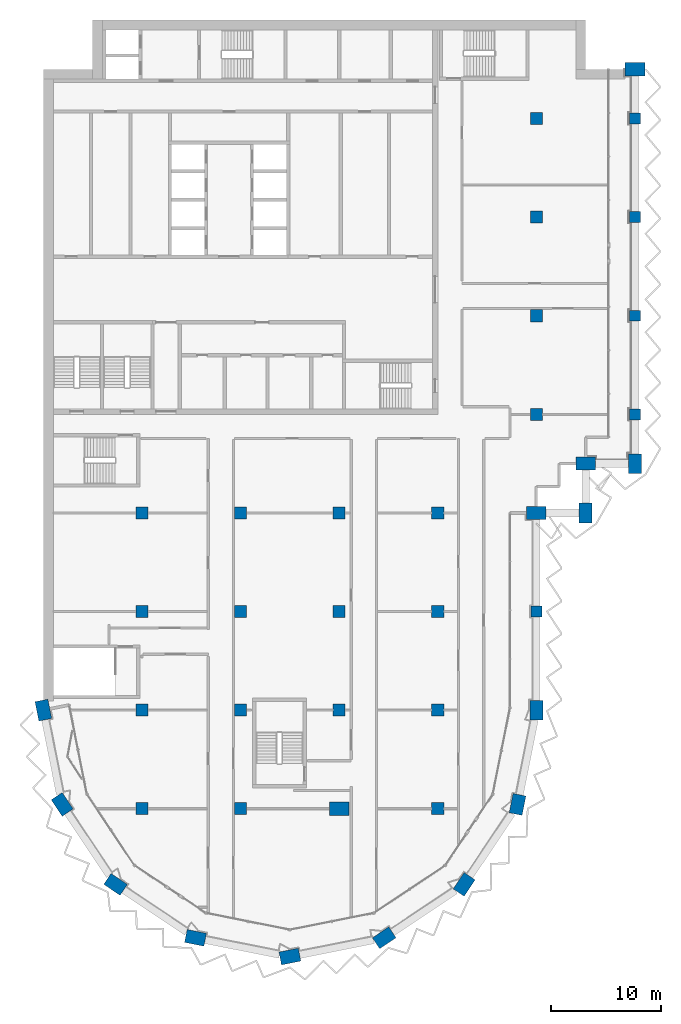
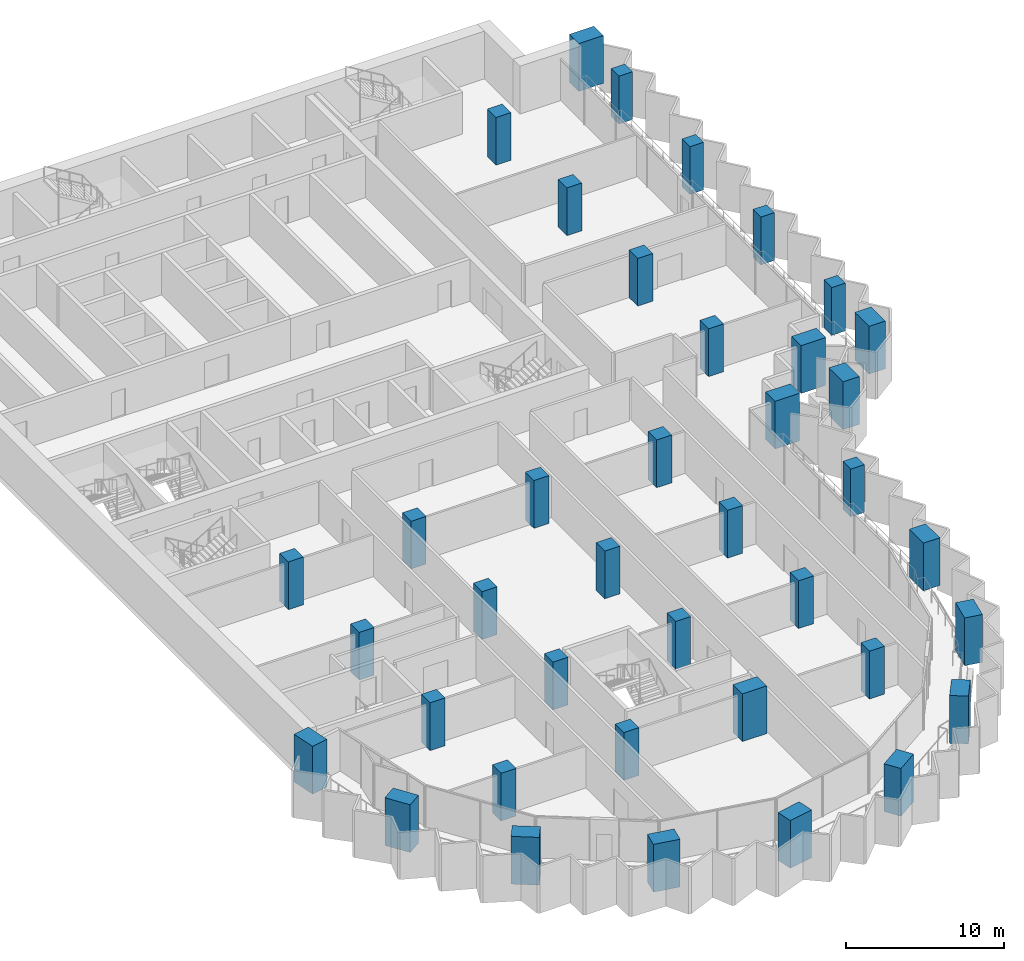
# One storey, part 1 of 18: 39 columns.
"""IFC4 building model written with IfcOpenShell, lengths in metres."""

import ifcopenshell
import ifcopenshell.guid

model = None  # the IFC model being written
_history = None  # IfcOwnerHistory: only IFC2X3 demands one
_inside = {}  # id of a spatial element -> (the spatial element, [elements in it])
_under = {}  # id of a project, library or spatial element -> (it, [spatial elements below it])
_declared = {}  # id of a project -> (the project, [libraries it declares])
_typed = {}  # id of a type object -> (the type object, [elements of that type])
_made_of = {}  # id of a material, layer set ... -> (it, [elements and type objects made of it])


def new_model(schema):
    """Start an empty IFC model of exactly this schema.

    Asked for "IFC4X3", IfcOpenShell would pick the latest addendum, in which some entities
    have other attributes; the version numbers below select the first issue.
    IFC2X3 requires an IfcOwnerHistory on every rooted entity: one is made here for all.
    """
    global model, _history
    if schema == "IFC4X3":
        model = ifcopenshell.file(schema_version=(4, 3, 0, 0))
    else:
        model = ifcopenshell.file(schema=schema)
    _inside.clear()
    _under.clear()
    _declared.clear()
    _typed.clear()
    _made_of.clear()
    _history = None
    if model.schema == "IFC2X3":
        org = make("IfcOrganization", Name="unknown")
        user = make(
            "IfcPersonAndOrganization",
            ThePerson=make("IfcPerson", FamilyName="unknown"),
            TheOrganization=org,
        )
        app = make(
            "IfcApplication",
            ApplicationDeveloper=org,
            Version="unknown",
            ApplicationFullName="unknown",
            ApplicationIdentifier="unknown",
        )
        _history = make(
            "IfcOwnerHistory",
            OwningUser=user,
            OwningApplication=app,
            ChangeAction="ADDED",
            CreationDate=0,
        )
    return model


def make(cls, **values):
    """One entity of the class cls with the attributes given. An attribute that is None is left unset."""
    return model.create_entity(
        cls, **{name: value for name, value in values.items() if value is not None}
    )


def rooted(cls, **values):
    """An entity with a GlobalId (a new one), such as an element, a storey or a relation."""
    return make(cls, GlobalId=ifcopenshell.guid.new(), OwnerHistory=_history, **values)


def si_unit(unit_type, name, prefix=None):
    """IfcSIUnit, for example si_unit("LENGTHUNIT", "METRE", prefix="MILLI")."""
    return make("IfcSIUnit", UnitType=unit_type, Prefix=prefix, Name=name)


def assignment(units):
    """IfcUnitAssignment: the units of a project."""
    return None if units is None else make("IfcUnitAssignment", Units=units)


def point(xyz):
    """IfcCartesianPoint."""
    return None if xyz is None else make("IfcCartesianPoint", Coordinates=xyz)


def direction(xyz):
    """IfcDirection."""
    return None if xyz is None else make("IfcDirection", DirectionRatios=xyz)


def frame(location, z_axis=None, x_axis=None):
    """IfcAxis2Placement3D, a coordinate frame: its origin and axes. An axis left out is left unset."""
    return make(
        "IfcAxis2Placement3D",
        Location=point(location),
        Axis=direction(z_axis),
        RefDirection=direction(x_axis),
    )


def frame_2d(location, x_axis=None):
    """IfcAxis2Placement2D, a coordinate frame in the plane: its origin and x axis."""
    return make(
        "IfcAxis2Placement2D", Location=point(location), RefDirection=direction(x_axis)
    )


def origin():
    """The frame at (0, 0, 0) with its axes left unset."""
    return frame((0.0, 0.0, 0.0))


def origin_2d():
    """The frame at (0, 0) in the plane with its x axis left unset."""
    return frame_2d((0.0, 0.0))


def place(relative_to, where):
    """IfcLocalPlacement: puts the frame where relative to a parent placement (None: the world)."""
    return make(
        "IfcLocalPlacement", PlacementRelTo=relative_to, RelativePlacement=where
    )


def context(
    kind, dimensions, precision=None, world=None, true_north=None, identifier=None
):
    """IfcGeometricRepresentationContext, for example the 3D "Model" context."""
    return make(
        "IfcGeometricRepresentationContext",
        ContextIdentifier=identifier,
        ContextType=kind,
        CoordinateSpaceDimension=dimensions,
        Precision=precision,
        WorldCoordinateSystem=world,
        TrueNorth=true_north,
    )


def subcontext(parent, identifier, kind, view, scale=None):
    """IfcGeometricRepresentationSubContext, for example "Body" below "Model"."""
    return make(
        "IfcGeometricRepresentationSubContext",
        ContextIdentifier=identifier,
        ContextType=kind,
        ParentContext=parent,
        TargetScale=scale,
        TargetView=view,
    )


def project(units=None, contexts=None):
    """IfcProject with its units and contexts."""
    return rooted(
        "IfcProject",
        Name="project",
        RepresentationContexts=contexts,
        UnitsInContext=assignment(units),
    )


def spatial(cls, under=None, at=None, **own):
    """A site, building, storey or space (cls), placed at a placement, below another one or the project."""
    s = rooted(cls, ObjectPlacement=at, **own)
    if under is not None:
        _under.setdefault(under.id(), (under, []))[1].append(s)
    return s


def profile(cls, at=None, kind="AREA", **sizes):
    """A parametric profile (cls). Its sizes go by their IFC names, for example OverallWidth=200.0."""
    return make(cls, ProfileType=kind, Position=at, **sizes)


def rectangle(**sizes):
    """IfcRectangleProfileDef."""
    return profile("IfcRectangleProfileDef", **sizes)


def extrude(swept, where, along, depth):
    """IfcExtrudedAreaSolid: the profile swept, set in the frame where, extruded along a direction by depth."""
    return make(
        "IfcExtrudedAreaSolid",
        SweptArea=swept,
        Position=where,
        ExtrudedDirection=direction(along),
        Depth=depth,
    )


def shape(context_of_items, identifier, shape_type, items):
    """IfcShapeRepresentation: the items that make up one representation, for example the "Body"."""
    return make(
        "IfcShapeRepresentation",
        ContextOfItems=context_of_items,
        RepresentationIdentifier=identifier,
        RepresentationType=shape_type,
        Items=items,
    )


def material(Name=None, Category=None):
    """IfcMaterial."""
    return make("IfcMaterial", Name=Name, Category=Category)


def material_profile(
    of_material, cross_section, Name=None, Category=None, Priority=None
):
    """IfcMaterialProfile: a cross section and its material."""
    return make(
        "IfcMaterialProfile",
        Name=Name,
        Material=of_material,
        Profile=cross_section,
        Priority=Priority,
        Category=Category,
    )


def profile_set(profiles, Name=None, composite=None):
    """IfcMaterialProfileSet."""
    return make(
        "IfcMaterialProfileSet",
        Name=Name,
        MaterialProfiles=profiles,
        CompositeProfile=composite,
    )


def made_of(thing, what):
    """Note that an element or type object is made of a material, layer set ...; save() writes the relation."""
    if what is not None:
        _made_of.setdefault(what.id(), (what, []))[1].append(thing)
    return thing


def type_object(cls, material=None, **own):
    """A type object (cls), such as IfcWallType, which elements share."""
    return made_of(rooted(cls, **own), material)


def element(
    cls,
    number,
    at=None,
    inside=None,
    cuts=None,
    type_object=None,
    material=None,
    context=None,
    identifier="Body",
    shape_type=None,
    held_by="IfcProductDefinitionShape",
    body=None,
    shapes=None,
    **own,
):
    """One element of the class cls, such as IfcWall. Its Tag is "e" and its number.

    at: its placement. inside: the storey or other place that contains it. cuts: it is an
    opening in that element (IfcRelVoidsElement). A single representation is given by context,
    identifier, shape_type and body (its items); several are given by shapes. held_by: the class
    of the entity that holds the representations. save() writes the other relations.
    """
    e = rooted(cls, Tag="e%d" % number, ObjectPlacement=at, **own)
    if body is not None:
        shapes = [shape(context, identifier, shape_type, body)]
    if shapes is not None:
        e.Representation = make(held_by, Representations=shapes)
    if inside is not None:
        _inside.setdefault(inside.id(), (inside, []))[1].append(e)
    if cuts is not None:
        rooted(
            "IfcRelVoidsElement", RelatingBuildingElement=cuts, RelatedOpeningElement=e
        )
    if type_object is not None:
        _typed.setdefault(type_object.id(), (type_object, []))[1].append(e)
    return made_of(e, material)


def aggregate(whole, parts):
    """IfcRelAggregates: a whole, such as a stair, and the parts it consists of."""
    return rooted("IfcRelAggregates", RelatingObject=whole, RelatedObjects=parts)


def save(model, path):
    """Write the relations noted so far, then the file.

    IfcRelAggregates (storeys below a building ...), IfcRelContainedInSpatialStructure (elements
    in a storey), IfcRelDefinesByType, IfcRelAssociatesMaterial and IfcRelDeclares: one each for
    every whole, place, type object, material and project.
    """
    for whole, parts in _under.values():
        aggregate(whole, parts)
    for where, things in _inside.values():
        rooted(
            "IfcRelContainedInSpatialStructure",
            RelatedElements=things,
            RelatingStructure=where,
        )
    for kind, things in _typed.values():
        rooted("IfcRelDefinesByType", RelatedObjects=things, RelatingType=kind)
    for what, things in _made_of.values():
        rooted("IfcRelAssociatesMaterial", RelatedObjects=things, RelatingMaterial=what)
    for by, libraries in _declared.values():
        rooted("IfcRelDeclares", RelatingContext=by, RelatedDefinitions=libraries)
    model.write(path)


model = new_model("IFC4")

# Units and contexts
model_context = context("Model", 3, precision=1e-05, world=origin(), true_north=direction((0.0, 1.0)))
body_context = subcontext(model_context, "Body", "Model", "MODEL_VIEW")
ifc_project = project(units=[si_unit("LENGTHUNIT", "METRE"), si_unit("AREAUNIT", "SQUARE_METRE"), si_unit("VOLUMEUNIT", "CUBIC_METRE"), si_unit("PLANEANGLEUNIT", "RADIAN"), si_unit("MASSUNIT", "GRAM", prefix="KILO")], contexts=[model_context])

# Site, building, storey
site_placement = place(None, origin())
site = spatial("IfcSite", under=ifc_project, at=site_placement, CompositionType="ELEMENT")
building_placement = place(site_placement, origin())
building = spatial("IfcBuilding", under=site, at=building_placement, Name="Hunhe Ridgeline Campus", CompositionType="ELEMENT")
storey_placement = place(building_placement, frame((0.0, 0.0, 223.5)))
storey = spatial("IfcBuildingStorey", under=building, at=storey_placement, Name="L57", CompositionType="ELEMENT", Elevation=223.5)

# Columns
ifc_material = material(Name="Concrete C60", Category="concrete")
ifc_material_profile_1 = material_profile(ifc_material, rectangle(XDim=1.800048828125, YDim=1.199951171875, at=origin_2d()))
ifc_profile_set_1 = profile_set([ifc_material_profile_1], Name="Concrete C60")
column_type_1 = type_object("IfcColumnType", Name="Megacolumn 1800x1200 Concrete C60", PredefinedType="COLUMN", material=ifc_profile_set_1)
for number, where, z_axis, x_axis, name in (
    (1, (22.5, 13.5, 0.0), (0.0, 0.0, 1.0), (0.980785280403, 0.195090322016, 0.0), "Column C11 R6 L57"),
    (2, (13.8896484375, 15.212646484375, 0.0), (0.0, 0.0, 1.0), (-0.980785280403, 0.195090322016, 0.0), "Column C11 R7 L57"),
    (3, (31.1103515625, 15.212646484375, 0.0), (0.0, 0.0, 1.0), (0.831469612303, 0.55557023302, 0.0), "Column C11 R8 L57"),
    (4, (6.590087890625, 20.090087890625, 0.0), (0.0, 0.0, 1.0), (-0.831469612303, 0.55557023302, 0.0), "Column C11 R11 L57"),
    (5, (38.409912109375, 20.090087890625, 0.0), (0.0, 0.0, 1.0), (0.55557023302, 0.831469612303, 0.0), "Column C11 R12 L57"),
    (6, (1.712646484375, 27.3896484375, 0.0), (0.0, 0.0, 1.0), (-0.55557023302, 0.831469612303, 0.0), "Column C11 R16 L57"),
    (7, (43.287353515625, 27.3896484375, 0.0), (0.0, 0.0, 1.0), (0.195090322016, 0.980785280403, 0.0), "Column C11 R17 L57"),
    (8, (0.0, 36.0, 0.0), (0.0, 0.0, 1.0), (-0.195090322016, 0.980785280403, 0.0), "Column C11 E1 L57"),
    (9, (45.0, 36.0, 0.0), (0.0, 0.0, 1.0), (0.0, 1.0, 0.0), "Column C11 E6 L57"),
    (10, (45.0, 54.0, 0.0), (0.0, 0.0, 1.0), (1.0, 0.0, 0.0), "Column C11 G6 L57"),
    (11, (49.5, 54.0, 0.0), (0.0, 0.0, 1.0), (0.0, 1.0, 0.0), "Column C11 R29 L57"),
    (12, (49.5, 58.5, 0.0), (0.0, 0.0, 1.0), (1.0, 0.0, 0.0), "Column C11 R33 L57"),
    (13, (54.0, 58.5, 0.0), (0.0, 0.0, 1.0), (0.0, 1.0, 0.0), "Column C11 R34 L57"),
    (14, (54.0, 94.5, 0.0), (0.0, 0.0, 1.0), (1.0, 0.0, 0.0), "Column C11 R41 L57"),
    (15, (27.0, 27.0, 0.0), (0.0, 0.0, 1.0), (1.0, 0.0, 0.0), "Column C11 D4 L57"),
):
    element("IfcColumn", number, at=place(storey_placement, frame(where, z_axis=z_axis, x_axis=x_axis)), inside=storey, type_object=column_type_1, Name=name, PredefinedType="COLUMN", context=body_context, shape_type="SweptSolid", body=[
        extrude(rectangle(XDim=1.800048828125, YDim=1.199951171875, at=origin_2d()), origin(), (0.0, 0.0, 1.0), 3.699951171875),
    ])
ifc_material_profile_2 = material_profile(ifc_material, rectangle(XDim=1.0, YDim=1.0, at=origin_2d()))
ifc_profile_set_2 = profile_set([ifc_material_profile_2], Name="Concrete C60")
column_type_2 = type_object("IfcColumnType", Name="RC column 1000x1000 Concrete C60", PredefinedType="COLUMN", material=ifc_profile_set_2)
for number, where, z_axis, x_axis, name in (
    (16, (45.0, 45.0, 0.0), (0.0, 0.0, 1.0), (1.0, 0.0, 0.0), "Column C12 F6 L57"),
    (17, (54.0, 63.0, 0.0), (0.0, 0.0, 1.0), (1.0, 0.0, 0.0), "Column C12 H7 L57"),
    (18, (54.0, 72.0, 0.0), (0.0, 0.0, 1.0), (1.0, 0.0, 0.0), "Column C12 I7 L57"),
    (19, (54.0, 81.0, 0.0), (0.0, 0.0, 1.0), (1.0, 0.0, 0.0), "Column C12 J7 L57"),
    (20, (54.0, 90.0, 0.0), (0.0, 0.0, 1.0), (1.0, 0.0, 0.0), "Column C12 K7 L57"),
):
    element("IfcColumn", number, at=place(storey_placement, frame(where, z_axis=z_axis, x_axis=x_axis)), inside=storey, type_object=column_type_2, Name=name, PredefinedType="COLUMN", context=body_context, shape_type="SweptSolid", body=[
        extrude(rectangle(XDim=1.0, YDim=1.0, at=origin_2d()), origin(), (0.0, 0.0, 1.0), 3.699951171875),
    ])
ifc_material_profile_3 = material_profile(ifc_material, rectangle(XDim=1.10009765625, YDim=1.10009765625, at=origin_2d()))
ifc_profile_set_3 = profile_set([ifc_material_profile_3], Name="Concrete C60")
column_type_3 = type_object("IfcColumnType", Name="RC column 1100x1100 Concrete C60", PredefinedType="COLUMN", material=ifc_profile_set_3)
for number, where, z_axis, x_axis, name in (
    (21, (9.0, 27.0, 0.0), (0.0, 0.0, 1.0), (1.0, 0.0, 0.0), "Column C13 D2 L57"),
    (22, (9.0, 36.0, 0.0), (0.0, 0.0, 1.0), (1.0, 0.0, 0.0), "Column C13 E2 L57"),
    (23, (9.0, 45.0, 0.0), (0.0, 0.0, 1.0), (1.0, 0.0, 0.0), "Column C13 F2 L57"),
    (24, (9.0, 54.0, 0.0), (0.0, 0.0, 1.0), (1.0, 0.0, 0.0), "Column C13 G2 L57"),
    (25, (18.0, 27.0, 0.0), (0.0, 0.0, 1.0), (1.0, 0.0, 0.0), "Column C13 D3 L57"),
    (26, (18.0, 36.0, 0.0), (0.0, 0.0, 1.0), (1.0, 0.0, 0.0), "Column C13 E3 L57"),
    (27, (18.0, 45.0, 0.0), (0.0, 0.0, 1.0), (1.0, 0.0, 0.0), "Column C13 F3 L57"),
    (28, (18.0, 54.0, 0.0), (0.0, 0.0, 1.0), (1.0, 0.0, 0.0), "Column C13 G3 L57"),
    (29, (27.0, 36.0, 0.0), (0.0, 0.0, 1.0), (1.0, 0.0, 0.0), "Column C13 E4 L57"),
    (30, (27.0, 45.0, 0.0), (0.0, 0.0, 1.0), (1.0, 0.0, 0.0), "Column C13 F4 L57"),
    (31, (27.0, 54.0, 0.0), (0.0, 0.0, 1.0), (1.0, 0.0, 0.0), "Column C13 G4 L57"),
    (32, (36.0, 27.0, 0.0), (0.0, 0.0, 1.0), (1.0, 0.0, 0.0), "Column C13 D5 L57"),
    (33, (36.0, 36.0, 0.0), (0.0, 0.0, 1.0), (1.0, 0.0, 0.0), "Column C13 E5 L57"),
    (34, (36.0, 45.0, 0.0), (0.0, 0.0, 1.0), (1.0, 0.0, 0.0), "Column C13 F5 L57"),
    (35, (36.0, 54.0, 0.0), (0.0, 0.0, 1.0), (1.0, 0.0, 0.0), "Column C13 G5 L57"),
    (36, (45.0, 63.0, 0.0), (0.0, 0.0, 1.0), (1.0, 0.0, 0.0), "Column C13 H6 L57"),
    (37, (45.0, 72.0, 0.0), (0.0, 0.0, 1.0), (1.0, 0.0, 0.0), "Column C13 I6 L57"),
    (38, (45.0, 81.0, 0.0), (0.0, 0.0, 1.0), (1.0, 0.0, 0.0), "Column C13 J6 L57"),
    (39, (45.0, 90.0, 0.0), (0.0, 0.0, 1.0), (1.0, 0.0, 0.0), "Column C13 K6 L57"),
):
    element("IfcColumn", number, at=place(storey_placement, frame(where, z_axis=z_axis, x_axis=x_axis)), inside=storey, type_object=column_type_3, Name=name, PredefinedType="COLUMN", context=body_context, shape_type="SweptSolid", body=[
        extrude(rectangle(XDim=1.10009765625, YDim=1.10009765625, at=origin_2d()), origin(), (0.0, 0.0, 1.0), 3.699951171875),
    ])

save(model, "model.ifc")
